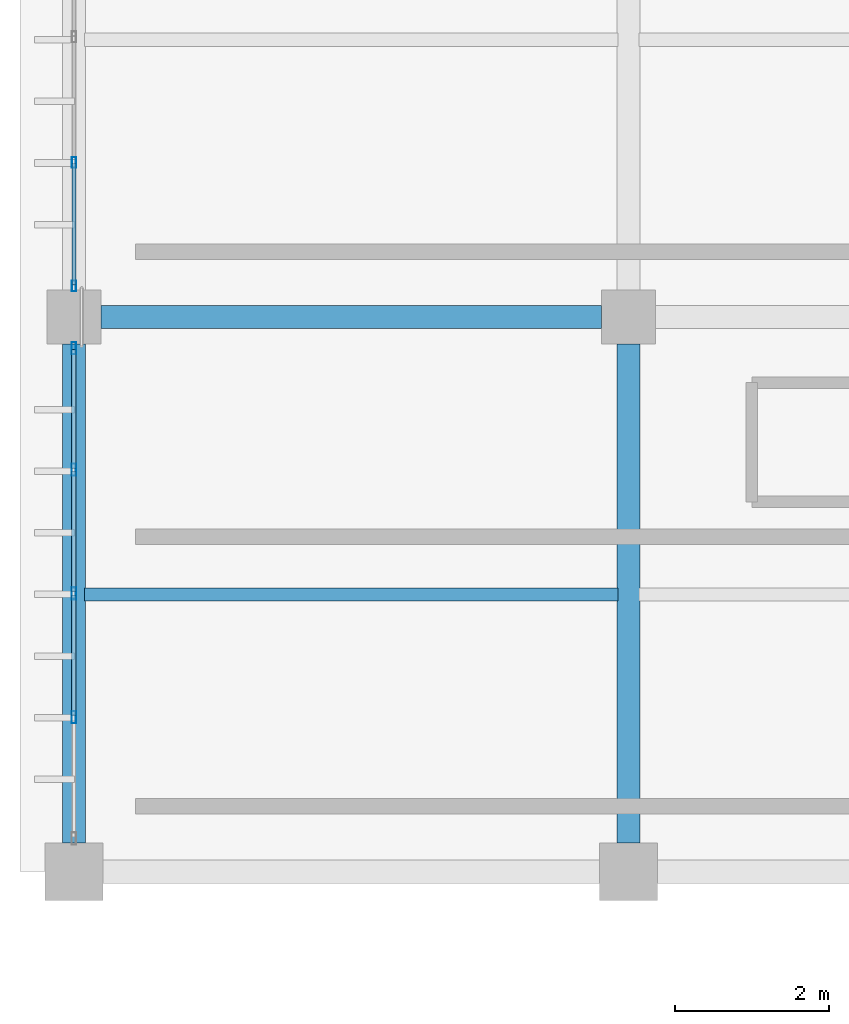
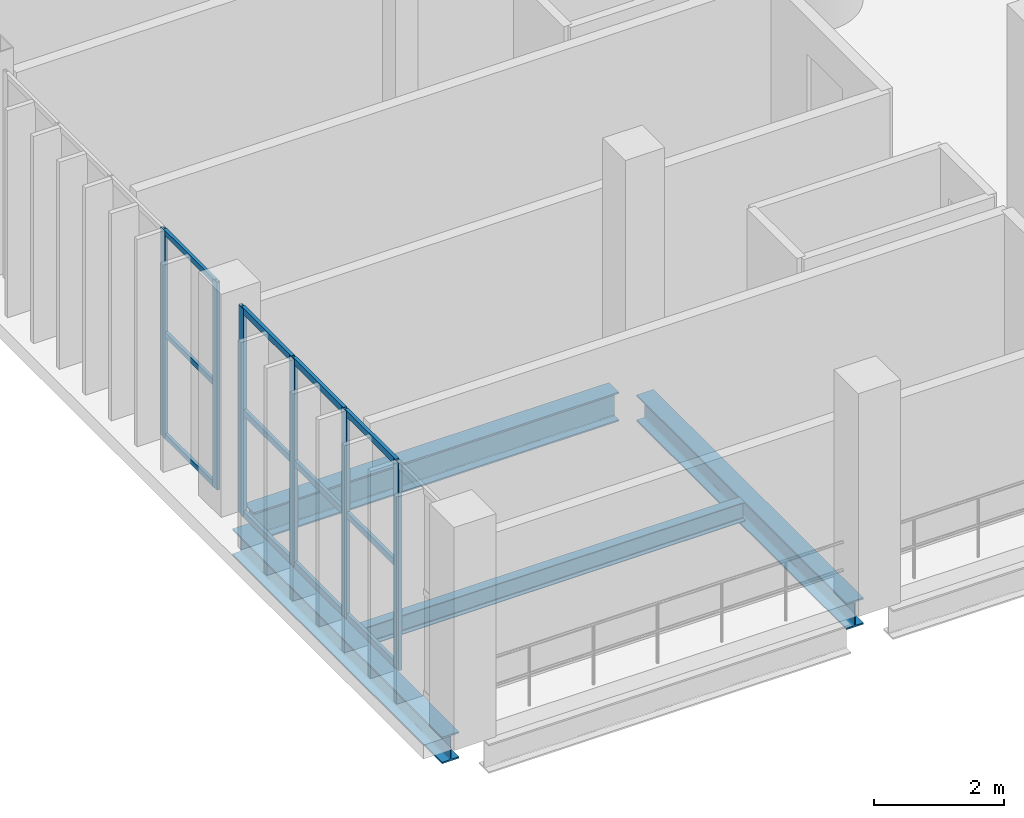
# One storey, part 20 of 130: 18 members, 4 beams, 2 elements without a shape of their own.
"""IFC4 building model written with IfcOpenShell, lengths in metres."""

from ifc_helpers import new_model, si_unit, direction, frame, origin, origin_2d, place, context, subcontext, project, spatial, hollow_rectangle, i_section, extrude, material, material_profile, profile_set, type_object, element, aggregate, save


model = new_model("IFC4")

# Units and contexts
model_context = context("Model", 3, precision=1e-05, world=origin(), true_north=direction((0.0, 1.0)))
body_context = subcontext(model_context, "Body", "Model", "MODEL_VIEW")
ifc_project = project(units=[si_unit("LENGTHUNIT", "METRE"), si_unit("AREAUNIT", "SQUARE_METRE"), si_unit("VOLUMEUNIT", "CUBIC_METRE"), si_unit("PLANEANGLEUNIT", "RADIAN"), si_unit("MASSUNIT", "GRAM", prefix="KILO")], contexts=[model_context])

# Site, building, storey
site_placement = place(None, origin())
site = spatial("IfcSite", under=ifc_project, at=site_placement, CompositionType="ELEMENT")
building_placement = place(site_placement, origin())
building = spatial("IfcBuilding", under=site, at=building_placement, Name="Qandorah Velis Arena", CompositionType="ELEMENT")
storey_placement = place(building_placement, frame((0.0, 0.0, 9.60009765625)))
storey = spatial("IfcBuildingStorey", under=building, at=storey_placement, Name="L02", CompositionType="ELEMENT", Elevation=9.60009765625)

# Curtain wall, members
ifc_material_1 = material(Name="Solar-control low-E double glazing", Category="glass")
curtain_wall_type_1 = type_object("IfcCurtainWallType", Name="ARC-CW-SYS12", PredefinedType="USERDEFINED", material=ifc_material_1)
curtain_wall_1_placement = place(storey_placement, origin())
curtain_wall_1 = element("IfcCurtainWall", 1, at=curtain_wall_1_placement, inside=storey, type_object=curtain_wall_type_1, Name="Unitised curtain wall L02-012", ObjectType="UNITISED CURTAIN WALL", PredefinedType="USERDEFINED")
ifc_material_2 = material(Name="Champagne-bronze anodized aluminium 6063-T6", Category="aluminium")
ifc_material_profile_1 = material_profile(ifc_material_2, hollow_rectangle(XDim=0.054931640625, YDim=0.139892578125, WallThickness=0.0029296875, at=origin_2d()), Name="ALU MULLION 55x140")
ifc_profile_set_1 = profile_set([ifc_material_profile_1], Name="Champagne-bronze anodized aluminium 6063-T6")
member_type_1 = type_object("IfcMemberType", Name="ARC-CWM-140", PredefinedType="MULLION", material=ifc_profile_set_1)
member_1_placement = place(storey_placement, frame((0.0, 22.00244140625, -0.01513671875), z_axis=(0.0, 0.0, 1.0), x_axis=(-1.0, 0.0, 0.0)))
member_1 = element("IfcMember", 2, at=member_1_placement, type_object=member_type_1, Name="CW12 mullion 1", PredefinedType="MULLION", context=body_context, shape_type="SweptSolid", body=[
    extrude(hollow_rectangle(XDim=0.054931640625, YDim=0.139892578125, WallThickness=0.0029296875, at=origin_2d()), origin(), (0.0, 0.0, 1.0), 3.91015625),
])
member_2_placement = place(storey_placement, frame((0.0, 23.606201171875, -0.01513671875), z_axis=(0.0, 0.0, 1.0), x_axis=(-1.0, 0.0, 0.0)))
member_2 = element("IfcMember", 3, at=member_2_placement, type_object=member_type_1, Name="CW12 mullion 2", PredefinedType="MULLION", context=body_context, shape_type="SweptSolid", body=[
    extrude(hollow_rectangle(XDim=0.054931640625, YDim=0.139892578125, WallThickness=0.0029296875, at=origin_2d()), origin(), (0.0, 0.0, 1.0), 3.91015625),
])

curtain_wall_type_2 = type_object("IfcCurtainWallType", Name="ARC-CW-SYS11", PredefinedType="USERDEFINED", material=ifc_material_1)
curtain_wall_2_placement = place(storey_placement, origin())
curtain_wall_2 = element("IfcCurtainWall", 4, at=curtain_wall_2_placement, inside=storey, type_object=curtain_wall_type_2, Name="Unitised curtain wall L02-011", ObjectType="UNITISED CURTAIN WALL", PredefinedType="USERDEFINED")
ifc_material_profile_2 = material_profile(ifc_material_2, hollow_rectangle(XDim=0.06005859375, YDim=0.159912109375, WallThickness=0.00341796875, at=origin_2d()), Name="ALU MULLION 60x160")
ifc_profile_set_2 = profile_set([ifc_material_profile_2], Name="Champagne-bronze anodized aluminium 6063-T6")
member_type_2 = type_object("IfcMemberType", Name="ARC-CWM-160", PredefinedType="MULLION", material=ifc_profile_set_2)
member_3_placement = place(storey_placement, frame((0.0, 16.40625, -0.01513671875), z_axis=(0.0, 0.0, 1.0), x_axis=(-1.0, 0.0, 0.0)))
member_3 = element("IfcMember", 5, at=member_3_placement, type_object=member_type_2, Name="CW11 mullion 2", PredefinedType="MULLION", context=body_context, shape_type="SweptSolid", body=[
    extrude(hollow_rectangle(XDim=0.06005859375, YDim=0.159912109375, WallThickness=0.00341796875, at=origin_2d()), origin(), (0.0, 0.0, 1.0), 3.91015625),
])
member_4_placement = place(storey_placement, frame((0.0, 18.012451171875, -0.01513671875), z_axis=(0.0, 0.0, 1.0), x_axis=(-1.0, 0.0, 0.0)))
member_4 = element("IfcMember", 6, at=member_4_placement, type_object=member_type_2, Name="CW11 mullion 3", PredefinedType="MULLION", context=body_context, shape_type="SweptSolid", body=[
    extrude(hollow_rectangle(XDim=0.06005859375, YDim=0.159912109375, WallThickness=0.00341796875, at=origin_2d()), origin(), (0.0, 0.0, 1.0), 3.91015625),
])
member_5_placement = place(storey_placement, frame((0.0, 19.61865234375, -0.01513671875), z_axis=(0.0, 0.0, 1.0), x_axis=(-1.0, 0.0, 0.0)))
member_5 = element("IfcMember", 7, at=member_5_placement, type_object=member_type_2, Name="CW11 mullion 4", PredefinedType="MULLION", context=body_context, shape_type="SweptSolid", body=[
    extrude(hollow_rectangle(XDim=0.06005859375, YDim=0.159912109375, WallThickness=0.00341796875, at=origin_2d()), origin(), (0.0, 0.0, 1.0), 3.91015625),
])
member_6_placement = place(storey_placement, frame((0.0, 21.195068359375, -0.01513671875), z_axis=(0.0, 0.0, 1.0), x_axis=(-1.0, 0.0, 0.0)))
member_6 = element("IfcMember", 8, at=member_6_placement, type_object=member_type_2, Name="CW11 mullion 5", PredefinedType="MULLION", context=body_context, shape_type="SweptSolid", body=[
    extrude(hollow_rectangle(XDim=0.06005859375, YDim=0.159912109375, WallThickness=0.00341796875, at=origin_2d()), origin(), (0.0, 0.0, 1.0), 3.91015625),
])

# Member
ifc_material_profile_3 = material_profile(ifc_material_2, hollow_rectangle(XDim=0.054931640625, YDim=0.10009765625, WallThickness=0.0029296875, at=origin_2d()), Name="ALU TRANSOM 55x100")
ifc_profile_set_3 = profile_set([ifc_material_profile_3], Name="Champagne-bronze anodized aluminium 6063-T6")
member_type_3 = type_object("IfcMemberType", Name="ARC-CWT-100", PredefinedType="USERDEFINED", material=ifc_profile_set_3)
member_7_placement = place(storey_placement, frame((0.0, 22.01806640625, 0.02734375), z_axis=(0.0, 1.0, 0.0), x_axis=(-1.0, 0.0, 0.0)))
member_7 = element("IfcMember", 9, at=member_7_placement, type_object=member_type_3, Name="CW12 transom 1.1", ObjectType="TRANSOM", PredefinedType="USERDEFINED", context=body_context, shape_type="SweptSolid", body=[
    extrude(hollow_rectangle(XDim=0.054931640625, YDim=0.10009765625, WallThickness=0.0029296875, at=origin_2d()), origin(), (0.0, 0.0, 1.0), 1.57275390625),
])

member_8_placement = place(storey_placement, frame((0.0, 22.01806640625, 1.93994140625), z_axis=(0.0, 1.0, 0.0), x_axis=(-1.0, 0.0, 0.0)))
member_8 = element("IfcMember", 10, at=member_8_placement, type_object=member_type_3, Name="CW12 transom 1.2", ObjectType="TRANSOM", PredefinedType="USERDEFINED", context=body_context, shape_type="SweptSolid", body=[
    extrude(hollow_rectangle(XDim=0.054931640625, YDim=0.10009765625, WallThickness=0.0029296875, at=origin_2d()), origin(), (0.0, 0.0, 1.0), 1.57275390625),
])

member_9_placement = place(storey_placement, frame((0.0, 22.01806640625, 3.852294921875), z_axis=(0.0, 1.0, 0.0), x_axis=(-1.0, 0.0, 0.0)))
member_9 = element("IfcMember", 11, at=member_9_placement, type_object=member_type_3, Name="CW12 transom 1.3", ObjectType="TRANSOM", PredefinedType="USERDEFINED", context=body_context, shape_type="SweptSolid", body=[
    extrude(hollow_rectangle(XDim=0.054931640625, YDim=0.10009765625, WallThickness=0.0029296875, at=origin_2d()), origin(), (0.0, 0.0, 1.0), 1.57275390625),
])

aggregate(curtain_wall_1, [member_1, member_2, member_7, member_8, member_9])

ifc_material_profile_4 = material_profile(ifc_material_2, hollow_rectangle(XDim=0.06005859375, YDim=0.1201171875, WallThickness=0.0029296875, at=origin_2d()), Name="ALU TRANSOM 60x120")
ifc_profile_set_4 = profile_set([ifc_material_profile_4], Name="Champagne-bronze anodized aluminium 6063-T6")
member_type_4 = type_object("IfcMemberType", Name="ARC-CWT-120", PredefinedType="USERDEFINED", material=ifc_profile_set_4)
member_10_placement = place(storey_placement, frame((0.0, 16.42431640625, 0.02978515625), z_axis=(0.0, 1.0, 0.0), x_axis=(-1.0, 0.0, 0.0)))
member_10 = element("IfcMember", 12, at=member_10_placement, type_object=member_type_4, Name="CW11 transom 2.1", ObjectType="TRANSOM", PredefinedType="USERDEFINED", context=body_context, shape_type="SweptSolid", body=[
    extrude(hollow_rectangle(XDim=0.06005859375, YDim=0.1201171875, WallThickness=0.0029296875, at=origin_2d()), origin(), (0.0, 0.0, 1.0), 1.570068359375),
])

member_11_placement = place(storey_placement, frame((0.0, 16.42431640625, 1.93994140625), z_axis=(0.0, 1.0, 0.0), x_axis=(-1.0, 0.0, 0.0)))
member_11 = element("IfcMember", 13, at=member_11_placement, type_object=member_type_4, Name="CW11 transom 2.2", ObjectType="TRANSOM", PredefinedType="USERDEFINED", context=body_context, shape_type="SweptSolid", body=[
    extrude(hollow_rectangle(XDim=0.06005859375, YDim=0.1201171875, WallThickness=0.0029296875, at=origin_2d()), origin(), (0.0, 0.0, 1.0), 1.570068359375),
])

member_12_placement = place(storey_placement, frame((0.0, 16.42431640625, 3.849853515625), z_axis=(0.0, 1.0, 0.0), x_axis=(-1.0, 0.0, 0.0)))
member_12 = element("IfcMember", 14, at=member_12_placement, type_object=member_type_4, Name="CW11 transom 2.3", ObjectType="TRANSOM", PredefinedType="USERDEFINED", context=body_context, shape_type="SweptSolid", body=[
    extrude(hollow_rectangle(XDim=0.06005859375, YDim=0.1201171875, WallThickness=0.0029296875, at=origin_2d()), origin(), (0.0, 0.0, 1.0), 1.570068359375),
])

member_13_placement = place(storey_placement, frame((0.0, 18.030517578125, 0.02978515625), z_axis=(0.0, 1.0, 0.0), x_axis=(-1.0, 0.0, 0.0)))
member_13 = element("IfcMember", 15, at=member_13_placement, type_object=member_type_4, Name="CW11 transom 3.1", ObjectType="TRANSOM", PredefinedType="USERDEFINED", context=body_context, shape_type="SweptSolid", body=[
    extrude(hollow_rectangle(XDim=0.06005859375, YDim=0.1201171875, WallThickness=0.0029296875, at=origin_2d()), origin(), (0.0, 0.0, 1.0), 1.5703125),
])

member_14_placement = place(storey_placement, frame((0.0, 18.030517578125, 1.93994140625), z_axis=(0.0, 1.0, 0.0), x_axis=(-1.0, 0.0, 0.0)))
member_14 = element("IfcMember", 16, at=member_14_placement, type_object=member_type_4, Name="CW11 transom 3.2", ObjectType="TRANSOM", PredefinedType="USERDEFINED", context=body_context, shape_type="SweptSolid", body=[
    extrude(hollow_rectangle(XDim=0.06005859375, YDim=0.1201171875, WallThickness=0.0029296875, at=origin_2d()), origin(), (0.0, 0.0, 1.0), 1.5703125),
])

member_15_placement = place(storey_placement, frame((0.0, 18.030517578125, 3.849853515625), z_axis=(0.0, 1.0, 0.0), x_axis=(-1.0, 0.0, 0.0)))
member_15 = element("IfcMember", 17, at=member_15_placement, type_object=member_type_4, Name="CW11 transom 3.3", ObjectType="TRANSOM", PredefinedType="USERDEFINED", context=body_context, shape_type="SweptSolid", body=[
    extrude(hollow_rectangle(XDim=0.06005859375, YDim=0.1201171875, WallThickness=0.0029296875, at=origin_2d()), origin(), (0.0, 0.0, 1.0), 1.5703125),
])

member_16_placement = place(storey_placement, frame((0.0, 19.63671875, 0.02978515625), z_axis=(0.0, 1.0, 0.0), x_axis=(-1.0, 0.0, 0.0)))
member_16 = element("IfcMember", 18, at=member_16_placement, type_object=member_type_4, Name="CW11 transom 4.1", ObjectType="TRANSOM", PredefinedType="USERDEFINED", context=body_context, shape_type="SweptSolid", body=[
    extrude(hollow_rectangle(XDim=0.06005859375, YDim=0.1201171875, WallThickness=0.0029296875, at=origin_2d()), origin(), (0.0, 0.0, 1.0), 1.540283203125),
])

member_17_placement = place(storey_placement, frame((0.0, 19.63671875, 1.93994140625), z_axis=(0.0, 1.0, 0.0), x_axis=(-1.0, 0.0, 0.0)))
member_17 = element("IfcMember", 19, at=member_17_placement, type_object=member_type_4, Name="CW11 transom 4.2", ObjectType="TRANSOM", PredefinedType="USERDEFINED", context=body_context, shape_type="SweptSolid", body=[
    extrude(hollow_rectangle(XDim=0.06005859375, YDim=0.1201171875, WallThickness=0.0029296875, at=origin_2d()), origin(), (0.0, 0.0, 1.0), 1.540283203125),
])

member_18_placement = place(storey_placement, frame((0.0, 19.63671875, 3.849853515625), z_axis=(0.0, 1.0, 0.0), x_axis=(-1.0, 0.0, 0.0)))
member_18 = element("IfcMember", 20, at=member_18_placement, type_object=member_type_4, Name="CW11 transom 4.3", ObjectType="TRANSOM", PredefinedType="USERDEFINED", context=body_context, shape_type="SweptSolid", body=[
    extrude(hollow_rectangle(XDim=0.06005859375, YDim=0.1201171875, WallThickness=0.0029296875, at=origin_2d()), origin(), (0.0, 0.0, 1.0), 1.540283203125),
])

aggregate(curtain_wall_2, [member_3, member_4, member_5, member_6, member_10, member_11, member_12, member_13, member_14, member_15, member_16, member_17, member_18])

# Beams
ifc_material_3 = material(Name="Steel S355", Category="steel")
ifc_material_profile_5 = material_profile(ifc_material_3, i_section(OverallWidth=0.300048828125, OverallDepth=0.5, WebThickness=0.014404296875, FlangeThickness=0.028076171875, FilletRadius=0.027099609375, at=origin_2d()), Name="HEB 500")
ifc_profile_set_5 = profile_set([ifc_material_profile_5], Name="Steel S355")
beam_type_1 = type_object("IfcBeamType", Name="STR-BM-HEB500", PredefinedType="BEAM", material=ifc_profile_set_5)
for number, where, z_axis, x_axis, name in (
    (21, (0.0, 14.77490234375, -0.530029296875), (0.0, 1.0, 0.0), (-1.0, 0.0, 0.0), "Primary floor girder L02 Y-184"),
    (22, (7.199951171875, 14.77490234375, -0.530029296875), (0.0, 1.0, 0.0), (-1.0, 0.0, 0.0), "Primary floor girder L02 Y-198"),
):
    element("IfcBeam", number, at=place(storey_placement, frame(where, z_axis=z_axis, x_axis=x_axis)), inside=storey, type_object=beam_type_1, Name=name, PredefinedType="BEAM", context=body_context, shape_type="SweptSolid", body=[
        extrude(i_section(OverallWidth=0.300048828125, OverallDepth=0.5, WebThickness=0.014404296875, FlangeThickness=0.028076171875, FilletRadius=0.027099609375, at=origin_2d()), origin(), (0.0, 0.0, 1.0), 6.47509765625),
    ])
ifc_material_profile_6 = material_profile(ifc_material_3, i_section(OverallWidth=0.300048828125, OverallDepth=0.550048828125, WebThickness=0.014892578125, FlangeThickness=0.029052734375, FilletRadius=0.027099609375, at=origin_2d()), Name="HEB 550")
ifc_profile_set_6 = profile_set([ifc_material_profile_6], Name="Steel S355")
beam_type_2 = type_object("IfcBeamType", Name="STR-BM-HEB550", PredefinedType="BEAM", material=ifc_profile_set_6)
beam_1_placement = place(storey_placement, frame((0.35009765625, 21.60009765625, -0.55517578125), z_axis=(1.0, 0.0, 0.0), x_axis=(0.0, 1.0, 0.0)))
element("IfcBeam", 23, at=beam_1_placement, inside=storey, type_object=beam_type_2, Name="Primary floor girder L02 X-041", PredefinedType="BEAM", context=body_context, shape_type="SweptSolid", body=[
    extrude(i_section(OverallWidth=0.300048828125, OverallDepth=0.550048828125, WebThickness=0.014892578125, FlangeThickness=0.029052734375, FilletRadius=0.027099609375, at=origin_2d()), origin(), (0.0, 0.0, 1.0), 6.5),
])
ifc_material_profile_7 = material_profile(ifc_material_3, i_section(OverallWidth=0.169921875, OverallDepth=0.360107421875, WebThickness=0.008056640625, FlangeThickness=0.0126953125, FilletRadius=0.01806640625, at=origin_2d()), Name="IPE 360")
ifc_profile_set_7 = profile_set([ifc_material_profile_7], Name="Steel S355")
beam_type_3 = type_object("IfcBeamType", Name="STR-JST-IPE360", PredefinedType="JOIST", material=ifc_profile_set_7)
beam_2_placement = place(storey_placement, frame((0.135009765625, 18.0, -0.460205078125), z_axis=(1.0, 0.0, 0.0), x_axis=(0.0, 1.0, 0.0)))
element("IfcBeam", 24, at=beam_2_placement, inside=storey, type_object=beam_type_3, Name="Secondary floor joist L02-001", PredefinedType="JOIST", context=body_context, shape_type="SweptSolid", body=[
    extrude(i_section(OverallWidth=0.169921875, OverallDepth=0.360107421875, WebThickness=0.008056640625, FlangeThickness=0.0126953125, FilletRadius=0.01806640625, at=origin_2d()), origin(), (0.0, 0.0, 1.0), 6.929931640625),
])

save(model, "model.ifc")
